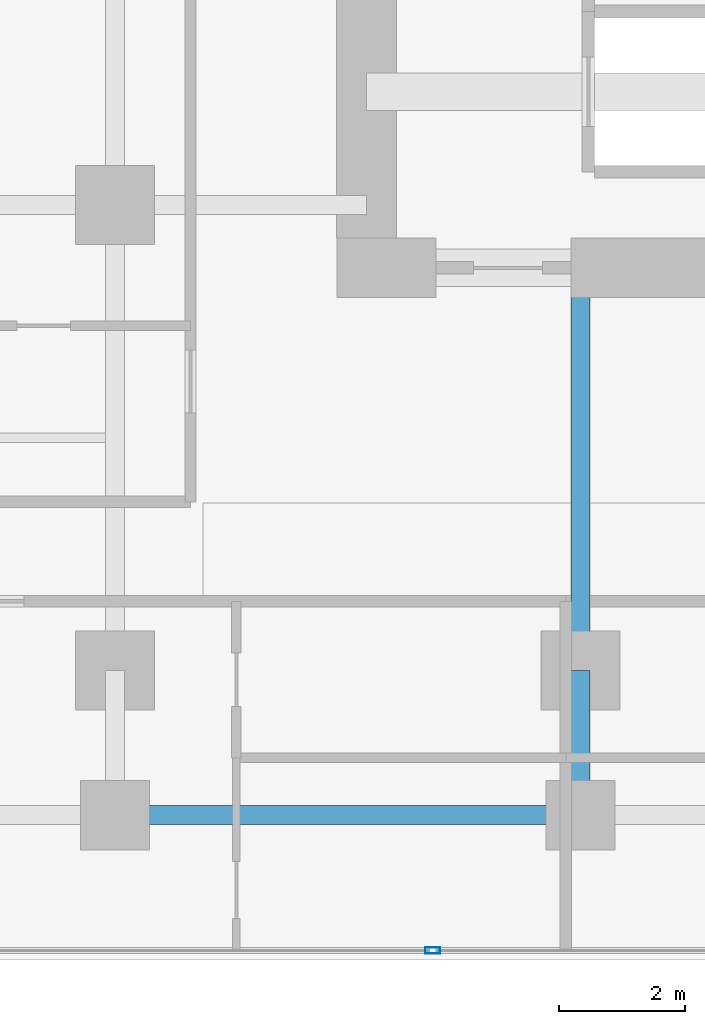
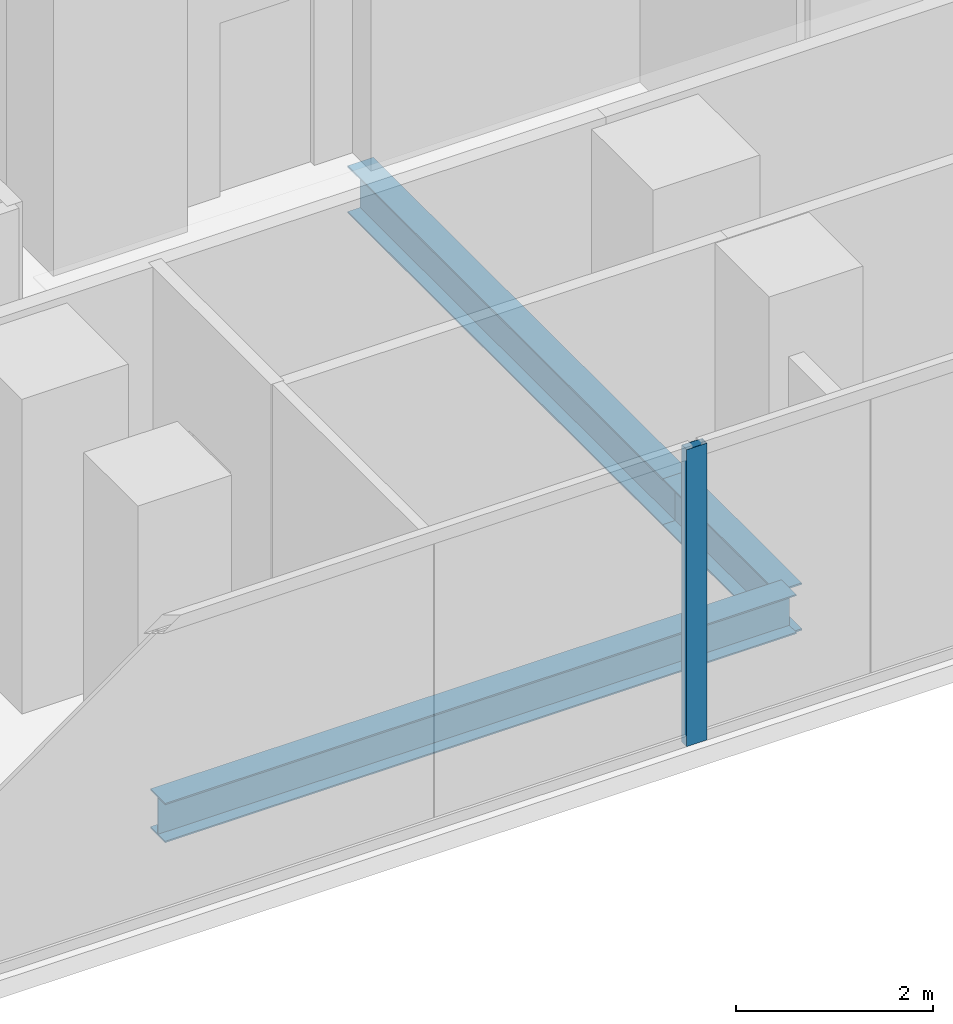
# One storey, part 4 of 28: 3 beams, 1 member, 1 element without a shape of its own.
"""IFC4 building model written with IfcOpenShell, lengths in metres."""

from ifc_helpers import new_model, si_unit, direction, frame, origin, origin_2d, place, context, subcontext, project, spatial, hollow_rectangle, i_section, extrude, material, layer, layer_set, material_profile, profile_set, type_object, element, aggregate, save


model = new_model("IFC4")

# Units and contexts
model_context = context("Model", 3, precision=1e-05, world=origin(), true_north=direction((0.0, 1.0)))
body_context = subcontext(model_context, "Body", "Model", "MODEL_VIEW")
ifc_project = project(units=[si_unit("LENGTHUNIT", "METRE"), si_unit("AREAUNIT", "SQUARE_METRE"), si_unit("VOLUMEUNIT", "CUBIC_METRE"), si_unit("PLANEANGLEUNIT", "RADIAN"), si_unit("MASSUNIT", "GRAM", prefix="KILO")], contexts=[model_context])

# Site, building, storey
site_placement = place(None, origin())
site = spatial("IfcSite", under=ifc_project, at=site_placement, CompositionType="ELEMENT")
building_placement = place(site_placement, origin())
building = spatial("IfcBuilding", under=site, at=building_placement, Name="Khorvyn Point Tower", CompositionType="ELEMENT")
storey_placement = place(building_placement, frame((0.0, 0.0, 89.10009765625)))
storey = spatial("IfcBuildingStorey", under=building, at=storey_placement, Name="L22", CompositionType="ELEMENT", Elevation=89.10009765625)

# Curtain wall, member
ifc_material_1 = material(Name="Anodised aluminium 6063-T6 and laminated Low-E glass", Category="aluminium")
ifc_layer = layer(ifc_material_1, 0.18994140625)
ifc_layer_set = layer_set([ifc_layer], Name="Stick-Built Finned Residential Curtain Wall CW-SYS-02")
curtain_wall_type = type_object("IfcCurtainWallType", Name="Stick-Built Finned Residential Curtain Wall CW-SYS-02", PredefinedType="NOTDEFINED", material=ifc_layer_set)
curtain_wall_placement = place(storey_placement, origin())
curtain_wall = element("IfcCurtainWall", 1, at=curtain_wall_placement, inside=storey, type_object=curtain_wall_type, Name="Curtain Wall", PredefinedType="NOTDEFINED")
ifc_material_2 = material(Name="Anodised aluminium 6063-T6", Category="aluminium")
ifc_material_profile_1 = material_profile(ifc_material_2, hollow_rectangle(XDim=0.10009765625, YDim=0.239990234375, WallThickness=0.0048828125, at=origin_2d()))
ifc_profile_set_1 = profile_set([ifc_material_profile_1], Name="Anodised aluminium 6063-T6 ALU-MUL-100x240")
member_type = type_object("IfcMemberType", Name="Anodised Aluminium 6063-T6 Mullion ALU-MUL-100x240", PredefinedType="MULLION", material=ifc_profile_set_1)
member_placement = place(storey_placement, frame((-9.75, -19.25, 0.0), z_axis=(0.0, 0.0, 1.0), x_axis=(0.0, -1.0, 0.0)))
member = element("IfcMember", 2, at=member_placement, type_object=member_type, Name="Transom", PredefinedType="MULLION", context=body_context, shape_type="SweptSolid", body=[
    extrude(hollow_rectangle(XDim=0.10009765625, YDim=0.239990234375, WallThickness=0.0048828125, at=origin_2d()), origin(), (0.0, 0.0, 1.0), 3.679931640625),
])
aggregate(curtain_wall, [member])

# Beams
ifc_material_3 = material(Name="Steel S355", Category="steel")
ifc_material_profile_2 = material_profile(ifc_material_3, i_section(OverallWidth=0.300048828125, OverallDepth=0.587890625, WebThickness=0.011962890625, FlangeThickness=0.02001953125, at=origin_2d()))
ifc_profile_set_2 = profile_set([ifc_material_profile_2], Name="Steel S355 H588x300x12x20")
beam_type_1 = type_object("IfcBeamType", Name="Steel S355 Beam H588x300x12x20", PredefinedType="BEAM", material=ifc_profile_set_2)
beam_1_placement = place(storey_placement, frame((-7.39990234375, -17.10009765625, -0.51416015625), z_axis=(0.0, 1.0, 0.0), x_axis=(-1.0, 0.0, 0.0)))
element("IfcBeam", 3, at=beam_1_placement, inside=storey, type_object=beam_type_1, Name="Beam", PredefinedType="BEAM", context=body_context, shape_type="SweptSolid", body=[
    extrude(i_section(OverallWidth=0.300048828125, OverallDepth=0.587890625, WebThickness=0.011962890625, FlangeThickness=0.02001953125, at=origin_2d()), origin(), (0.0, 0.0, 1.0), 2.300048828125),
])
beam_2_placement = place(storey_placement, frame((-7.39990234375, -14.800048828125, -0.51416015625), z_axis=(0.0, 1.0, 0.0), x_axis=(-1.0, 0.0, 0.0)))
element("IfcBeam", 4, at=beam_2_placement, inside=storey, type_object=beam_type_1, Name="Beam", PredefinedType="BEAM", context=body_context, shape_type="SweptSolid", body=[
    extrude(i_section(OverallWidth=0.300048828125, OverallDepth=0.587890625, WebThickness=0.011962890625, FlangeThickness=0.02001953125, at=origin_2d()), origin(), (0.0, 0.0, 1.0), 6.400146484375),
])
ifc_material_profile_3 = material_profile(ifc_material_3, i_section(OverallWidth=0.300048828125, OverallDepth=0.488037109375, WebThickness=0.010986328125, FlangeThickness=0.01806640625, at=origin_2d()))
ifc_profile_set_3 = profile_set([ifc_material_profile_3], Name="Steel S355 H488x300x11x18")
beam_type_2 = type_object("IfcBeamType", Name="Steel S355 Spandrel H488x300x11x18", PredefinedType="SPANDREL", material=ifc_profile_set_3)
beam_3_placement = place(storey_placement, frame((-14.800048828125, -17.10009765625, -0.464111328125), z_axis=(1.0, 0.0, 0.0), x_axis=(0.0, 1.0, 0.0)))
element("IfcBeam", 5, at=beam_3_placement, inside=storey, type_object=beam_type_2, Name="Beam", PredefinedType="SPANDREL", context=body_context, shape_type="SweptSolid", body=[
    extrude(i_section(OverallWidth=0.300048828125, OverallDepth=0.488037109375, WebThickness=0.010986328125, FlangeThickness=0.01806640625, at=origin_2d()), origin(), (0.0, 0.0, 1.0), 7.400146484375),
])

save(model, "model.ifc")
